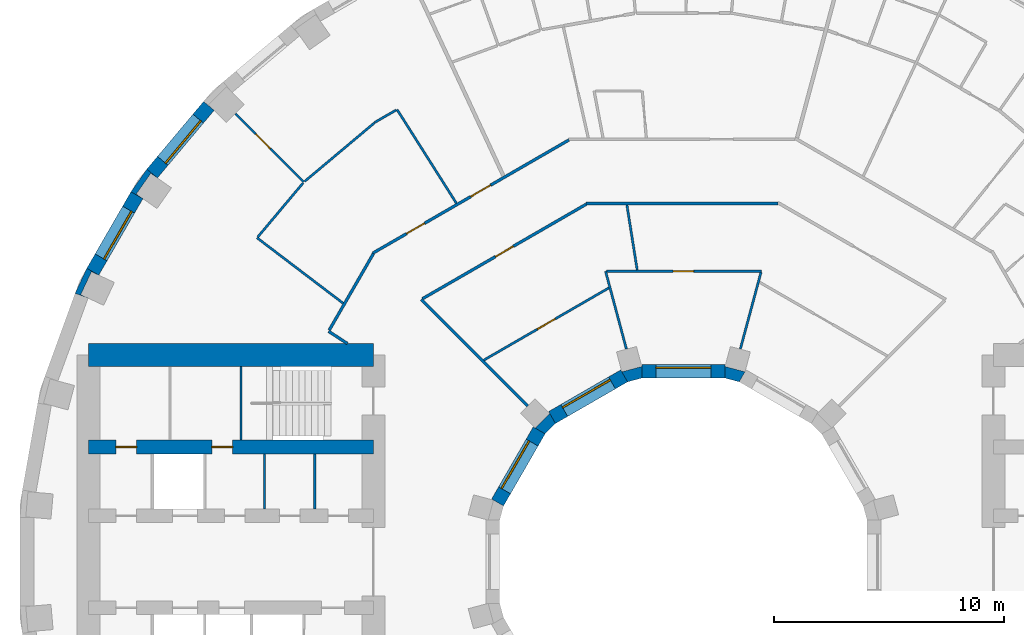
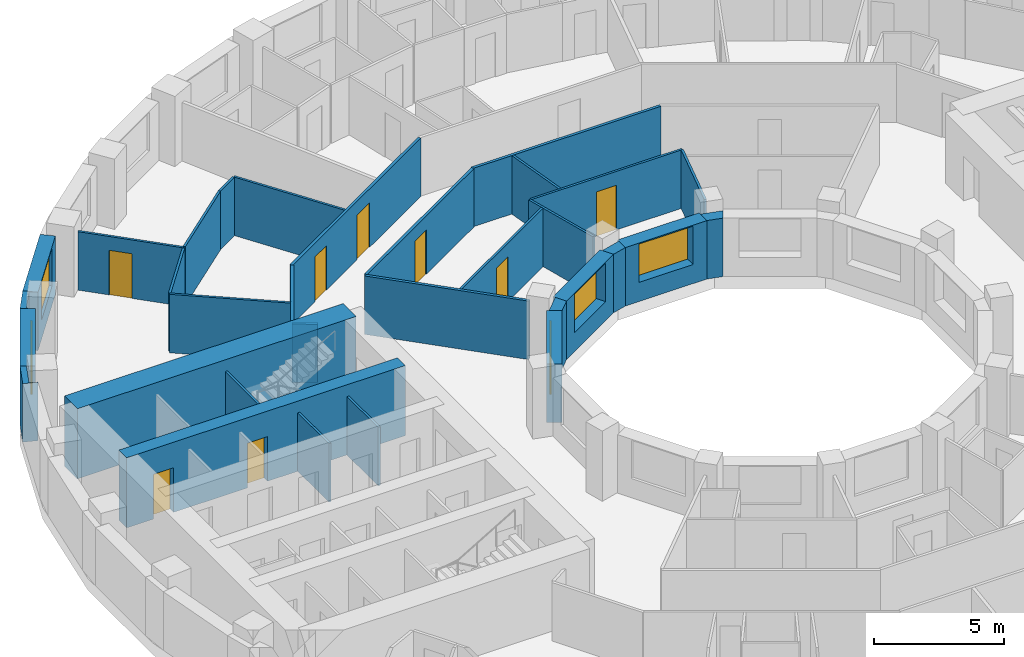
# One storey, part 10 of 15: 32 walls, 8 doors, 5 windows, 13 openings.
"""IFC4 building model written with IfcOpenShell, lengths in metres."""

from ifc_helpers import new_model, si_unit, direction, frame, frame_2d, origin, place, context, subcontext, project, spatial, polyline, rectangle, outline, extrude, material, layer, layer_set, type_object, element, fill, save


model = new_model("IFC4")

# Units and contexts
model_context = context("Model", 3, precision=1e-05, world=origin(), true_north=direction((0.0, 1.0)))
body_context = subcontext(model_context, "Body", "Model", "MODEL_VIEW")
ifc_project = project(units=[si_unit("LENGTHUNIT", "METRE"), si_unit("AREAUNIT", "SQUARE_METRE"), si_unit("VOLUMEUNIT", "CUBIC_METRE"), si_unit("PLANEANGLEUNIT", "RADIAN"), si_unit("MASSUNIT", "GRAM", prefix="KILO")], contexts=[model_context])

# Site, building, storey
site_placement = place(None, origin())
site = spatial("IfcSite", under=ifc_project, at=site_placement, CompositionType="ELEMENT")
building_placement = place(site_placement, origin())
building = spatial("IfcBuilding", under=site, at=building_placement, Name="Saqina Gate Tower", CompositionType="ELEMENT")
storey_placement = place(building_placement, frame((0.0, 0.0, 39.5)))
storey = spatial("IfcBuildingStorey", under=building, at=storey_placement, Name="L10", CompositionType="ELEMENT", Elevation=39.5)

# Walls
ifc_material_1 = material(Name="Brick masonry (red)", Category="masonry")
wall_type_1 = type_object("IfcWallType", Name="BRICK PIER COPING RED", PredefinedType="SOLIDWALL", material=ifc_material_1)
wall_1_placement = place(storey_placement, origin())
element("IfcWall", 1, at=wall_1_placement, inside=storey, type_object=wall_type_1, Name="Pier cap L10 column 15", PredefinedType="SOLIDWALL", context=body_context, shape_type="SweptSolid", body=[
    extrude(outline(polyline([(-23.36669921875, 17.096923828125), (-24.0576171875, 16.110107421875), (-23.5380859375, 15.81005859375), (-23.8251953125, 16.010986328125), (-23.194091796875, 16.912109375), (-22.9072265625, 16.711181640625), (-23.36669921875, 17.096923828125)])), origin(), (0.0, 0.0, 1.0), 2.75),
])
wall_2_placement = place(storey_placement, origin())
element("IfcWall", 2, at=wall_2_placement, inside=storey, type_object=wall_type_1, Name="Pier cap L10 column 16", PredefinedType="SOLIDWALL", context=body_context, shape_type="SweptSolid", body=[
    extrude(outline(polyline([(-26.48974609375, 11.687744140625), (-25.92578125, 11.482666015625), (-26.243408203125, 11.630615234375), (-25.778564453125, 12.627685546875), (-25.4609375, 12.4794921875), (-25.980712890625, 12.779541015625), (-26.48974609375, 11.687744140625)])), origin(), (0.0, 0.0, 1.0), 2.75),
])
ifc_material_2 = material(Name="Gypsum board on steel studs", Category="steel")
ifc_layer_1 = layer(ifc_material_2, 0.10009765625)
ifc_layer_set_1 = layer_set([ifc_layer_1], Name="CORE PARTITION")
wall_type_2 = type_object("IfcWallType", Name="CORE PARTITION", PredefinedType="PARTITIONING", material=ifc_layer_set_1)
for number, where, z_axis, x_axis, name in (
    (3, (-16.052001953125, 2.300048828125, 0.0), (0.0, 0.0, 1.0), (0.0, 1.0, 0.0), "L10-CP-W01"),
    (4, (-18.24072265625, 2.300048828125, 0.0), (0.0, 0.0, 1.0), (0.0, 1.0, 0.0), "L10-CP-W02"),
):
    element("IfcWall", number, at=place(storey_placement, frame(where, z_axis=z_axis, x_axis=x_axis)), inside=storey, type_object=wall_type_2, Name=name, PredefinedType="PARTITIONING", context=body_context, shape_type="SweptSolid", body=[
        extrude(rectangle(XDim=2.39990234375, YDim=0.10009765625, at=frame_2d((1.199951171875, 0.0))), origin(), (0.0, 0.0, 1.0), 2.75),
    ])

# Wall, opening, window
ifc_material_3 = material(Name="Brick masonry (red)", Category="masonry")
ifc_layer_2 = layer(ifc_material_3, 0.60009765625)
ifc_layer_set_2 = layer_set([ifc_layer_2], Name="FW-BRICK-RED")
wall_type_3 = type_object("IfcWallType", Name="FW-BRICK-RED", PredefinedType="SOLIDWALL", material=ifc_layer_set_2)
wall_3_placement = place(storey_placement, frame((-20.664794921875, 19.85009765625, 0.0), z_axis=(0.0, 0.0, 1.0), x_axis=(-0.642809392687, -0.766026164483, 0.0)))
wall_3 = element("IfcWall", 5, at=wall_3_placement, inside=storey, type_object=wall_type_3, Name="Facade wall L10 facet 14", PredefinedType="SOLIDWALL", context=body_context, shape_type="SweptSolid", body=[
    extrude(rectangle(XDim=3.845947265625, YDim=0.60009765625, at=frame_2d((1.9228515625, 0.0))), origin(), (0.0, 0.0, 1.0), 2.75),
])
opening_1_placement = place(wall_3_placement, frame((0.722900390625, 0.0, 0.89990234375)))
opening_1 = element("IfcOpeningElement", 6, at=opening_1_placement, cuts=wall_3, Name="Opening G02-W12", PredefinedType="OPENING", context=body_context, shape_type="SweptSolid", body=[
    extrude(rectangle(XDim=2.39990234375, YDim=1.800048828125, at=frame_2d((1.199951171875, 0.89990234375))), frame((0.0, 0.31201171875, 0.0), z_axis=(0.0, -1.0, 0.0), x_axis=(1.0, 0.0, 0.0)), (0.0, 0.0, 1.0), 0.6240234375),
])
ifc_material_4 = material(Name="Aluminium glazing", Category="aluminium")
window_type_1 = type_object("IfcWindowType", Name="WN-A", PartitioningType="SINGLE_PANEL", PredefinedType="WINDOW", material=ifc_material_4)
window_1_placement = place(opening_1_placement, origin())
window_1 = element("IfcWindow", 7, at=window_1_placement, inside=storey, type_object=window_type_1, Name="Window L10 facet 14", OverallHeight=1.800048828125, OverallWidth=2.39990234375, PartitioningType="SINGLE_PANEL", PredefinedType="WINDOW", context=body_context, shape_type="SweptSolid", body=[
    extrude(rectangle(XDim=2.39990234375, YDim=1.800048828125, at=frame_2d((1.199951171875, 0.89990234375))), frame((0.0, 0.179931640625, 0.0), z_axis=(0.0, -1.0, 0.0), x_axis=(1.0, 0.0, 0.0)), (0.0, 0.0, 1.0), 0.06005859375),
])
fill(opening_1, window_1)

wall_4_placement = place(storey_placement, frame((-23.7978515625, 15.960205078125, 0.0), z_axis=(0.0, 0.0, 1.0), x_axis=(-0.499989888488, -0.86603124159, 0.0)))
wall_4 = element("IfcWall", 8, at=wall_4_placement, inside=storey, type_object=wall_type_3, Name="Facade wall L10 facet 15", PredefinedType="SOLIDWALL", context=body_context, shape_type="SweptSolid", body=[
    extrude(rectangle(XDim=3.845703125, YDim=0.60009765625, at=frame_2d((1.9228515625, 0.0))), origin(), (0.0, 0.0, 1.0), 2.75),
])
opening_2_placement = place(wall_4_placement, frame((0.722900390625, 0.0, 0.89990234375)))
opening_2 = element("IfcOpeningElement", 9, at=opening_2_placement, cuts=wall_4, Name="Opening G02-W13", PredefinedType="OPENING", context=body_context, shape_type="SweptSolid", body=[
    extrude(rectangle(XDim=2.39990234375, YDim=1.800048828125, at=frame_2d((1.199951171875, 0.89990234375))), frame((0.0, 0.31201171875, 0.0), z_axis=(0.0, -1.0, 0.0), x_axis=(1.0, 0.0, 0.0)), (0.0, 0.0, 1.0), 0.6240234375),
])
window_2_placement = place(opening_2_placement, origin())
window_2 = element("IfcWindow", 10, at=window_2_placement, inside=storey, type_object=window_type_1, Name="Window L10 facet 15", OverallHeight=1.800048828125, OverallWidth=2.39990234375, PartitioningType="SINGLE_PANEL", PredefinedType="WINDOW", context=body_context, shape_type="SweptSolid", body=[
    extrude(rectangle(XDim=2.39990234375, YDim=1.800048828125, at=frame_2d((1.199951171875, 0.89990234375))), frame((0.0, 0.179931640625, 0.0), z_axis=(0.0, -1.0, 0.0), x_axis=(1.0, 0.0, 0.0)), (0.0, 0.0, 1.0), 0.06005859375),
])
fill(opening_2, window_2)

ifc_material_5 = material(Name="Glazed ceramic tile", Category="ceramic")
ifc_layer_3 = layer(ifc_material_5, 0.60009765625)
ifc_layer_set_3 = layer_set([ifc_layer_3], Name="IW-TILE")
wall_type_4 = type_object("IfcWallType", Name="IW-TILE", PredefinedType="SOLIDWALL", material=ifc_layer_set_3)
wall_5_placement = place(storey_placement, frame((1.8125, 8.300048828125, 0.0), z_axis=(0.0, 0.0, 1.0), x_axis=(-1.0, 0.0, 0.0)))
wall_5 = element("IfcWall", 11, at=wall_5_placement, inside=storey, type_object=wall_type_4, Name="Well wall L10 facet 3", PredefinedType="SOLIDWALL", context=body_context, shape_type="SweptSolid", body=[
    extrude(rectangle(XDim=3.625, YDim=0.60009765625, at=frame_2d((1.8125, 0.0))), origin(), (0.0, 0.0, 1.0), 2.75),
])
opening_3_placement = place(wall_5_placement, frame((0.612548828125, 0.0, 0.89990234375)))
opening_3 = element("IfcOpeningElement", 12, at=opening_3_placement, cuts=wall_5, Name="Opening G02-W25", PredefinedType="OPENING", context=body_context, shape_type="SweptSolid", body=[
    extrude(rectangle(XDim=2.39990234375, YDim=1.800048828125, at=frame_2d((1.199951171875, 0.89990234375))), frame((0.0, 0.31201171875, 0.0), z_axis=(0.0, -1.0, 0.0), x_axis=(1.0, 0.0, 0.0)), (0.0, 0.0, 1.0), 0.6240234375),
])
ifc_material_6 = material(Name="Aluminium glazing", Category="aluminium")
window_type_2 = type_object("IfcWindowType", Name="WN-W", PartitioningType="SINGLE_PANEL", PredefinedType="WINDOW", material=ifc_material_6)
window_3_placement = place(opening_3_placement, origin())
window_3 = element("IfcWindow", 13, at=window_3_placement, inside=storey, type_object=window_type_2, Name="Well window L10 facet 3", OverallHeight=1.800048828125, OverallWidth=2.39990234375, PartitioningType="SINGLE_PANEL", PredefinedType="WINDOW", context=body_context, shape_type="SweptSolid", body=[
    extrude(rectangle(XDim=2.39990234375, YDim=1.800048828125, at=frame_2d((1.199951171875, 0.89990234375))), frame((0.0, -0.119873046875, 0.0), z_axis=(0.0, -1.0, 0.0), x_axis=(1.0, 0.0, 0.0)), (0.0, 0.0, 1.0), 0.06005859375),
])
fill(opening_3, window_3)

wall_6_placement = place(storey_placement, frame((-2.580322265625, 8.09423828125, 0.0), z_axis=(0.0, 0.0, 1.0), x_axis=(-0.866029693906, -0.499992569217, 0.0)))
wall_6 = element("IfcWall", 14, at=wall_6_placement, inside=storey, type_object=wall_type_4, Name="Well wall L10 facet 4", PredefinedType="SOLIDWALL", context=body_context, shape_type="SweptSolid", body=[
    extrude(rectangle(XDim=3.625, YDim=0.60009765625, at=frame_2d((1.8125, 0.0))), origin(), (0.0, 0.0, 1.0), 2.75),
])
opening_4_placement = place(wall_6_placement, frame((0.612548828125, 0.0, 0.89990234375)))
opening_4 = element("IfcOpeningElement", 15, at=opening_4_placement, cuts=wall_6, Name="Opening G02-W26", PredefinedType="OPENING", context=body_context, shape_type="SweptSolid", body=[
    extrude(rectangle(XDim=2.39990234375, YDim=1.800048828125, at=frame_2d((1.199951171875, 0.89990234375))), frame((0.0, 0.31201171875, 0.0), z_axis=(0.0, -1.0, 0.0), x_axis=(1.0, 0.0, 0.0)), (0.0, 0.0, 1.0), 0.6240234375),
])
window_4_placement = place(opening_4_placement, origin())
window_4 = element("IfcWindow", 16, at=window_4_placement, inside=storey, type_object=window_type_2, Name="Well window L10 facet 4", OverallHeight=1.800048828125, OverallWidth=2.39990234375, PartitioningType="SINGLE_PANEL", PredefinedType="WINDOW", context=body_context, shape_type="SweptSolid", body=[
    extrude(rectangle(XDim=2.39990234375, YDim=1.800048828125, at=frame_2d((1.199951171875, 0.89990234375))), frame((0.0, -0.119873046875, 0.0), z_axis=(0.0, -1.0, 0.0), x_axis=(1.0, 0.0, 0.0)), (0.0, 0.0, 1.0), 0.06005859375),
])
fill(opening_4, window_4)

wall_7_placement = place(storey_placement, frame((-6.28173828125, 5.7197265625, 0.0), z_axis=(0.0, 0.0, 1.0), x_axis=(-0.499992569217, -0.866029693906, 0.0)))
wall_7 = element("IfcWall", 17, at=wall_7_placement, inside=storey, type_object=wall_type_4, Name="Well wall L10 facet 5", PredefinedType="SOLIDWALL", context=body_context, shape_type="SweptSolid", body=[
    extrude(rectangle(XDim=3.625, YDim=0.60009765625, at=frame_2d((1.8125, 0.0))), origin(), (0.0, 0.0, 1.0), 2.75),
])
opening_5_placement = place(wall_7_placement, frame((0.612548828125, 0.0, 0.89990234375)))
opening_5 = element("IfcOpeningElement", 18, at=opening_5_placement, cuts=wall_7, Name="Opening G02-W27", PredefinedType="OPENING", context=body_context, shape_type="SweptSolid", body=[
    extrude(rectangle(XDim=2.39990234375, YDim=1.800048828125, at=frame_2d((1.199951171875, 0.89990234375))), frame((0.0, 0.31201171875, 0.0), z_axis=(0.0, -1.0, 0.0), x_axis=(1.0, 0.0, 0.0)), (0.0, 0.0, 1.0), 0.6240234375),
])
window_5_placement = place(opening_5_placement, origin())
window_5 = element("IfcWindow", 19, at=window_5_placement, inside=storey, type_object=window_type_2, Name="Well window L10 facet 5", OverallHeight=1.800048828125, OverallWidth=2.39990234375, PartitioningType="SINGLE_PANEL", PredefinedType="WINDOW", context=body_context, shape_type="SweptSolid", body=[
    extrude(rectangle(XDim=2.39990234375, YDim=1.800048828125, at=frame_2d((1.199951171875, 0.89990234375))), frame((0.0, -0.119873046875, 0.0), z_axis=(0.0, -1.0, 0.0), x_axis=(1.0, 0.0, 0.0)), (0.0, 0.0, 1.0), 0.06005859375),
])
fill(opening_5, window_5)

# Walls
ifc_material_7 = material(Name="Gypsum board on steel studs, 100 mm", Category="steel")
ifc_layer_4 = layer(ifc_material_7, 0.10009765625)
ifc_layer_set_4 = layer_set([ifc_layer_4], Name="PARTITION 100")
wall_type_5 = type_object("IfcWallType", Name="PARTITION 100", PredefinedType="PARTITIONING", material=ifc_layer_set_4)
wall_8_placement = place(storey_placement, frame((-2.461181640625, 15.538330078125, 0.0), z_axis=(0.0, 0.0, 1.0), x_axis=(0.156376935557, -0.987697450653, 0.0)))
element("IfcWall", 20, at=wall_8_placement, inside=storey, type_object=wall_type_5, Name="PARTITION PW3-07", PredefinedType="PARTITIONING", context=body_context, shape_type="SweptSolid", body=[
    extrude(rectangle(XDim=2.874267578125, YDim=0.10009765625, at=frame_2d((1.43701171875, 0.0))), origin(), (0.0, 0.0, 1.0), 2.75),
])
wall_9_placement = place(storey_placement, frame((-3.389892578125, 12.64990234375, 0.0), z_axis=(0.0, 0.0, 1.0), x_axis=(0.258846371061, -0.965918503906, 0.0)))
element("IfcWall", 21, at=wall_9_placement, inside=storey, type_object=wall_type_5, Name="PARTITION PW3-15", PredefinedType="PARTITIONING", context=body_context, shape_type="SweptSolid", body=[
    extrude(rectangle(XDim=3.50390625, YDim=0.10009765625, at=frame_2d((1.751953125, 0.0))), origin(), (0.0, 0.0, 1.0), 2.75),
])
wall_10_placement = place(storey_placement, frame((-12.469970703125, 19.693115234375, 0.0), z_axis=(0.0, 0.0, 1.0), x_axis=(0.535000379435, -0.844851817779, 0.0)))
element("IfcWall", 22, at=wall_10_placement, inside=storey, type_object=wall_type_5, Name="PARTITION PW3-29", PredefinedType="PARTITIONING", context=body_context, shape_type="SweptSolid", body=[
    extrude(rectangle(XDim=4.830810546875, YDim=0.10009765625, at=frame_2d((2.41552734375, 0.0))), origin(), (0.0, 0.0, 1.0), 2.75),
])

# Wall, opening, door
wall_11_placement = place(storey_placement, frame((-19.509033203125, 19.509033203125, 0.0), z_axis=(0.0, 0.0, 1.0), x_axis=(0.707106781187, -0.707106781187, 0.0)))
wall_11 = element("IfcWall", 23, at=wall_11_placement, inside=storey, type_object=wall_type_5, Name="PARTITION PW3-35", PredefinedType="PARTITIONING", context=body_context, shape_type="SweptSolid", body=[
    extrude(rectangle(XDim=4.211669921875, YDim=0.10009765625, at=frame_2d((2.10595703125, 0.0))), origin(), (0.0, 0.0, 1.0), 2.75),
])
opening_6_placement = place(wall_11_placement, frame((1.252197265625, 0.0, 0.0)))
opening_6 = element("IfcOpeningElement", 24, at=opening_6_placement, cuts=wall_11, Name="Opening G02-D31", PredefinedType="OPENING", context=body_context, shape_type="SweptSolid", body=[
    extrude(rectangle(XDim=0.89990234375, YDim=2.10009765625, at=frame_2d((0.449951171875, 1.050048828125))), frame((0.0, 0.06201171875, 0.0), z_axis=(0.0, -1.0, 0.0), x_axis=(1.0, 0.0, 0.0)), (0.0, 0.0, 1.0), 0.1240234375),
])
ifc_material_8 = material(Name="Timber door leaf, 900 mm", Category="wood")
door_type_1 = type_object("IfcDoorType", Name="DOOR 900 TIMBER", OperationType="SINGLE_SWING_LEFT", PredefinedType="DOOR", material=ifc_material_8)
door_1_placement = place(opening_6_placement, frame((0.89990234375, 0.0, 0.0), z_axis=(0.0, 0.0, 1.0), x_axis=(-1.0, 0.0, 0.0)))
door_1 = element("IfcDoor", 25, at=door_1_placement, inside=storey, type_object=door_type_1, Name="DOOR G02-D31", OperationType="SINGLE_SWING_RIGHT", OverallHeight=2.10009765625, OverallWidth=0.89990234375, PredefinedType="DOOR", context=body_context, shape_type="SweptSolid", body=[
    extrude(rectangle(XDim=0.89990234375, YDim=2.10009765625, at=frame_2d((0.449951171875, 1.050048828125))), frame((0.0, 0.02490234375, 0.0), z_axis=(0.0, -1.0, 0.0), x_axis=(1.0, 0.0, 0.0)), (0.0, 0.0, 1.0), 0.050048828125),
])
fill(opening_6, door_1)

# Wall
wall_12_placement = place(storey_placement, frame((-18.56689453125, 14.10498046875, 0.0), z_axis=(0.0, 0.0, 1.0), x_axis=(0.796206168274, -0.605025402444, 0.0)))
element("IfcWall", 26, at=wall_12_placement, inside=storey, type_object=wall_type_5, Name="PARTITION PW3-38", PredefinedType="PARTITIONING", context=body_context, shape_type="SweptSolid", body=[
    extrude(rectangle(XDim=4.70703125, YDim=0.10009765625, at=frame_2d((2.353515625, 0.0))), origin(), (0.0, 0.0, 1.0), 2.75),
])

# Wall, opening, door
wall_13_placement = place(storey_placement, frame((-3.340087890625, 12.64990234375, 0.0), z_axis=(0.0, 0.0, 1.0), x_axis=(1.0, 0.0, 0.0)))
wall_13 = element("IfcWall", 27, at=wall_13_placement, inside=storey, type_object=wall_type_5, Name="PARTITION PW3-61", PredefinedType="PARTITIONING", context=body_context, shape_type="SweptSolid", body=[
    extrude(rectangle(XDim=6.72998046875, YDim=0.10009765625, at=frame_2d((3.364990234375, 0.0))), origin(), (0.0, 0.0, 1.0), 2.75),
])
opening_7_placement = place(wall_13_placement, frame((2.889892578125, 0.0, 0.0)))
opening_7 = element("IfcOpeningElement", 28, at=opening_7_placement, cuts=wall_13, Name="Opening G02-D19", PredefinedType="OPENING", context=body_context, shape_type="SweptSolid", body=[
    extrude(rectangle(XDim=0.89990234375, YDim=2.10009765625, at=frame_2d((0.449951171875, 1.050048828125))), frame((0.0, 0.06201171875, 0.0), z_axis=(0.0, -1.0, 0.0), x_axis=(1.0, 0.0, 0.0)), (0.0, 0.0, 1.0), 0.1240234375),
])
door_2_placement = place(opening_7_placement, origin())
door_2 = element("IfcDoor", 29, at=door_2_placement, inside=storey, type_object=door_type_1, Name="DOOR G02-D19", OperationType="SINGLE_SWING_LEFT", OverallHeight=2.10009765625, OverallWidth=0.89990234375, PredefinedType="DOOR", context=body_context, shape_type="SweptSolid", body=[
    extrude(rectangle(XDim=0.89990234375, YDim=2.10009765625, at=frame_2d((0.449951171875, 1.050048828125))), frame((0.0, 0.02490234375, 0.0), z_axis=(0.0, -1.0, 0.0), x_axis=(1.0, 0.0, 0.0)), (0.0, 0.0, 1.0), 0.050048828125),
])
fill(opening_7, door_2)

wall_14_placement = place(storey_placement, frame((-8.69384765625, 8.779296875, 0.0), z_axis=(0.0, 0.0, 1.0), x_axis=(0.86602790099, 0.499995674689, 0.0)))
wall_14 = element("IfcWall", 30, at=wall_14_placement, inside=storey, type_object=wall_type_5, Name="PARTITION PW3-80", PredefinedType="PARTITIONING", context=body_context, shape_type="SweptSolid", body=[
    extrude(rectangle(XDim=6.291015625, YDim=0.10009765625, at=frame_2d((3.1455078125, 0.0))), origin(), (0.0, 0.0, 1.0), 2.75),
])
opening_8_placement = place(wall_14_placement, frame((2.689453125, 0.0, 0.0)))
opening_8 = element("IfcOpeningElement", 31, at=opening_8_placement, cuts=wall_14, Name="Opening G02-D28", PredefinedType="OPENING", context=body_context, shape_type="SweptSolid", body=[
    extrude(rectangle(XDim=0.89990234375, YDim=2.10009765625, at=frame_2d((0.449951171875, 1.050048828125))), frame((0.0, 0.06201171875, 0.0), z_axis=(0.0, -1.0, 0.0), x_axis=(1.0, 0.0, 0.0)), (0.0, 0.0, 1.0), 0.1240234375),
])
door_3_placement = place(opening_8_placement, origin())
door_3 = element("IfcDoor", 32, at=door_3_placement, inside=storey, type_object=door_type_1, Name="DOOR G02-D28", OperationType="SINGLE_SWING_LEFT", OverallHeight=2.10009765625, OverallWidth=0.89990234375, PredefinedType="DOOR", context=body_context, shape_type="SweptSolid", body=[
    extrude(rectangle(XDim=0.89990234375, YDim=2.10009765625, at=frame_2d((0.449951171875, 1.050048828125))), frame((0.0, 0.02490234375, 0.0), z_axis=(0.0, -1.0, 0.0), x_axis=(1.0, 0.0, 0.0)), (0.0, 0.0, 1.0), 0.050048828125),
])
fill(opening_8, door_3)

# Walls
wall_15_placement = place(storey_placement, frame((-13.452880859375, 19.125732421875, 0.0), z_axis=(0.0, 0.0, 1.0), x_axis=(0.866144373206, 0.499793882279, 0.0)))
element("IfcWall", 33, at=wall_15_placement, inside=storey, type_object=wall_type_5, Name="PARTITION PW3-81", PredefinedType="PARTITIONING", context=body_context, shape_type="SweptSolid", body=[
    extrude(rectangle(XDim=1.0849609375, YDim=0.10009765625, at=frame_2d((0.54248046875, 0.0))), origin(), (0.0, 0.0, 1.0), 2.75),
])
wall_16_placement = place(storey_placement, frame((-16.49267578125, 16.563232421875, 0.0), z_axis=(0.0, 0.0, 1.0), x_axis=(0.766012051309, 0.642826210767, 0.0)))
element("IfcWall", 34, at=wall_16_placement, inside=storey, type_object=wall_type_5, Name="PARTITION PW3-85", PredefinedType="PARTITIONING", context=body_context, shape_type="SweptSolid", body=[
    extrude(rectangle(XDim=3.9755859375, YDim=0.10009765625, at=frame_2d((1.98779296875, 0.0))), origin(), (0.0, 0.0, 1.0), 2.75),
])
wall_17_placement = place(storey_placement, frame((-18.533447265625, 14.14501953125, 0.0), z_axis=(0.0, 0.0, 1.0), x_axis=(0.642844541506, 0.765996668045, 0.0)))
element("IfcWall", 35, at=wall_17_placement, inside=storey, type_object=wall_type_5, Name="PARTITION PW3-93", PredefinedType="PARTITIONING", context=body_context, shape_type="SweptSolid", body=[
    extrude(rectangle(XDim=3.06494140625, YDim=0.10009765625, at=frame_2d((1.532470703125, 0.0))), origin(), (0.0, 0.0, 1.0), 2.75),
])
wall_18_placement = place(storey_placement, frame((2.47998046875, 9.26611328125, 0.0), z_axis=(0.0, 0.0, 1.0), x_axis=(0.259676899278, 0.965695556571, 0.0)))
element("IfcWall", 36, at=wall_18_placement, inside=storey, type_object=wall_type_5, Name="PARTITION PW3-107", PredefinedType="PARTITIONING", context=body_context, shape_type="SweptSolid", body=[
    extrude(rectangle(XDim=3.4541015625, YDim=0.10009765625, at=frame_2d((1.72705078125, 0.0))), origin(), (0.0, 0.0, 1.0), 2.75),
])
ifc_material_9 = material(Name="Gypsum board on steel studs, 125 mm, fire rated", Category="steel")
ifc_layer_5 = layer(ifc_material_9, 0.125)
ifc_layer_set_5 = layer_set([ifc_layer_5], Name="PARTITION EI 30 125")
wall_type_6 = type_object("IfcWallType", Name="PARTITION EI 30 125", PredefinedType="PARTITIONING", material=ifc_layer_set_5)
wall_19_placement = place(storey_placement, frame((-11.419921875, 11.419921875, 0.0), z_axis=(0.0, 0.0, 1.0), x_axis=(0.707106781187, -0.707106781187, 0.0)))
element("IfcWall", 37, at=wall_19_placement, inside=storey, type_object=wall_type_6, Name="PARTITION PW1-09", PredefinedType="PARTITIONING", context=body_context, shape_type="SweptSolid", body=[
    extrude(rectangle(XDim=6.55810546875, YDim=0.125, at=frame_2d((3.279052734375, 0.0))), origin(), (0.0, 0.0, 1.0), 2.75),
])
wall_20_placement = place(storey_placement, frame((-15.452880859375, 10.034912109375, 0.0), z_axis=(0.0, 0.0, 1.0), x_axis=(0.838755766808, -0.544507817801, 0.0)))
element("IfcWall", 38, at=wall_20_placement, inside=storey, type_object=wall_type_6, Name="PARTITION PW1-13", PredefinedType="PARTITIONING", context=body_context, shape_type="SweptSolid", body=[
    extrude(rectangle(XDim=0.982421875, YDim=0.125, at=frame_2d((0.4912109375, 0.0))), origin(), (0.0, 0.0, 1.0), 2.75),
])
wall_21_placement = place(storey_placement, frame((-4.252197265625, 15.60009765625, 0.0), z_axis=(0.0, 0.0, 1.0), x_axis=(1.0, 0.0, 0.0)))
element("IfcWall", 39, at=wall_21_placement, inside=storey, type_object=wall_type_6, Name="PARTITION PW1-29", PredefinedType="PARTITIONING", context=body_context, shape_type="SweptSolid", body=[
    extrude(rectangle(XDim=8.36962890625, YDim=0.125, at=frame_2d((4.184814453125, 0.0))), origin(), (0.0, 0.0, 1.0), 2.75),
])

# Wall, opening, door
wall_22_placement = place(storey_placement, frame((-11.365966796875, 11.451171875, 0.0), z_axis=(0.0, 0.0, 1.0), x_axis=(0.866019704869, 0.500009870681, 0.0)))
wall_22 = element("IfcWall", 40, at=wall_22_placement, inside=storey, type_object=wall_type_6, Name="PARTITION PW1-42", PredefinedType="PARTITIONING", context=body_context, shape_type="SweptSolid", body=[
    extrude(rectangle(XDim=8.235107421875, YDim=0.125, at=frame_2d((4.11767578125, 0.0))), origin(), (0.0, 0.0, 1.0), 2.75),
])
opening_9_placement = place(wall_22_placement, frame((3.66748046875, 0.0, 0.0)))
opening_9 = element("IfcOpeningElement", 41, at=opening_9_placement, cuts=wall_22, Name="Opening G02-D29", PredefinedType="OPENING", context=body_context, shape_type="SweptSolid", body=[
    extrude(rectangle(XDim=0.89990234375, YDim=2.10009765625, at=frame_2d((0.449951171875, 1.050048828125))), frame((0.0, 0.074462890625, 0.0), z_axis=(0.0, -1.0, 0.0), x_axis=(1.0, 0.0, 0.0)), (0.0, 0.0, 1.0), 0.14892578125),
])
ifc_material_10 = material(Name="Fire door leaf EI 30, 900 mm")
door_type_2 = type_object("IfcDoorType", Name="DOOR 900 EI 30", OperationType="SINGLE_SWING_LEFT", PredefinedType="DOOR", material=ifc_material_10)
door_4_placement = place(opening_9_placement, frame((0.89990234375, 0.0, 0.0), z_axis=(0.0, 0.0, 1.0), x_axis=(-1.0, 0.0, 0.0)))
door_4 = element("IfcDoor", 42, at=door_4_placement, inside=storey, type_object=door_type_2, Name="DOOR G02-D29", OperationType="SINGLE_SWING_RIGHT", OverallHeight=2.10009765625, OverallWidth=0.89990234375, PredefinedType="DOOR", context=body_context, shape_type="SweptSolid", body=[
    extrude(rectangle(XDim=0.89990234375, YDim=2.10009765625, at=frame_2d((0.449951171875, 1.050048828125))), frame((0.0, 0.02490234375, 0.0), z_axis=(0.0, -1.0, 0.0), x_axis=(1.0, 0.0, 0.0)), (0.0, 0.0, 1.0), 0.050048828125),
])
fill(opening_9, door_4)

# Wall, openings, doors
wall_23_placement = place(storey_placement, frame((-13.532470703125, 13.433837890625, 0.0), z_axis=(0.0, 0.0, 1.0), x_axis=(0.86605048973, 0.49995654735, 0.0)))
wall_23 = element("IfcWall", 43, at=wall_23_placement, inside=storey, type_object=wall_type_6, Name="PARTITION PW1-43", PredefinedType="PARTITIONING", context=body_context, shape_type="SweptSolid", body=[
    extrude(rectangle(XDim=9.87060546875, YDim=0.125, at=frame_2d((4.935302734375, 0.0))), origin(), (0.0, 0.0, 1.0), 2.75),
])
opening_10_placement = place(wall_23_placement, frame((4.93115234375, 0.0, 0.0)))
opening_10 = element("IfcOpeningElement", 44, at=opening_10_placement, cuts=wall_23, Name="Opening G02-D27", PredefinedType="OPENING", context=body_context, shape_type="SweptSolid", body=[
    extrude(rectangle(XDim=1.0, YDim=2.10009765625, at=frame_2d((0.5, 1.050048828125))), frame((0.0, 0.074462890625, 0.0), z_axis=(0.0, -1.0, 0.0), x_axis=(1.0, 0.0, 0.0)), (0.0, 0.0, 1.0), 0.14892578125),
])
opening_11_placement = place(wall_23_placement, frame((1.711181640625, 0.0, 0.0)))
opening_11 = element("IfcOpeningElement", 45, at=opening_11_placement, cuts=wall_23, Name="Opening G02-D30", PredefinedType="OPENING", context=body_context, shape_type="SweptSolid", body=[
    extrude(rectangle(XDim=0.89990234375, YDim=2.10009765625, at=frame_2d((0.449951171875, 1.050048828125))), frame((0.0, 0.074462890625, 0.0), z_axis=(0.0, -1.0, 0.0), x_axis=(1.0, 0.0, 0.0)), (0.0, 0.0, 1.0), 0.14892578125),
])
ifc_material_11 = material(Name="Fire door leaf EI 30, 1000 mm")
door_type_3 = type_object("IfcDoorType", Name="DOOR 1000 EI 30", OperationType="SINGLE_SWING_LEFT", PredefinedType="DOOR", material=ifc_material_11)
door_5_placement = place(opening_10_placement, origin())
door_5 = element("IfcDoor", 46, at=door_5_placement, inside=storey, type_object=door_type_3, Name="DOOR G02-D27", OperationType="SINGLE_SWING_RIGHT", OverallHeight=2.10009765625, OverallWidth=1.0, PredefinedType="DOOR", context=body_context, shape_type="SweptSolid", body=[
    extrude(rectangle(XDim=1.0, YDim=2.10009765625, at=frame_2d((0.5, 1.050048828125))), frame((0.0, 0.02490234375, 0.0), z_axis=(0.0, -1.0, 0.0), x_axis=(1.0, 0.0, 0.0)), (0.0, 0.0, 1.0), 0.050048828125),
])
fill(opening_10, door_5)
door_6_placement = place(opening_11_placement, origin())
door_6 = element("IfcDoor", 47, at=door_6_placement, inside=storey, type_object=door_type_2, Name="DOOR G02-D30", OperationType="SINGLE_SWING_LEFT", OverallHeight=2.10009765625, OverallWidth=0.89990234375, PredefinedType="DOOR", context=body_context, shape_type="SweptSolid", body=[
    extrude(rectangle(XDim=0.89990234375, YDim=2.10009765625, at=frame_2d((0.449951171875, 1.050048828125))), frame((0.0, 0.02490234375, 0.0), z_axis=(0.0, -1.0, 0.0), x_axis=(1.0, 0.0, 0.0)), (0.0, 0.0, 1.0), 0.050048828125),
])
fill(opening_11, door_6)

# Walls
wall_24_placement = place(storey_placement, frame((-15.421630859375, 10.089111328125, 0.0), z_axis=(0.0, 0.0, 1.0), x_axis=(0.499953532967, 0.866052229876, 0.0)))
element("IfcWall", 48, at=wall_24_placement, inside=storey, type_object=wall_type_6, Name="PARTITION PW1-49", PredefinedType="PARTITIONING", context=body_context, shape_type="SweptSolid", body=[
    extrude(rectangle(XDim=3.841064453125, YDim=0.125, at=frame_2d((1.92041015625, 0.0))), origin(), (0.0, 0.0, 1.0), 2.75),
])
ifc_material_12 = material(Name="Autoclaved aerated concrete block", Category="concrete")
ifc_layer_6 = layer(ifc_material_12, 0.10009765625)
ifc_layer_set_6 = layer_set([ifc_layer_6], Name="STAIR ENCLOSURE WALL")
wall_type_7 = type_object("IfcWallType", Name="STAIR ENCLOSURE WALL", PredefinedType="PARTITIONING", material=ifc_layer_set_6)
wall_25_placement = place(storey_placement, frame((-19.27001953125, 5.300048828125, 0.0), z_axis=(0.0, 0.0, 1.0), x_axis=(0.0, 1.0, 0.0)))
element("IfcWall", 49, at=wall_25_placement, inside=storey, type_object=wall_type_7, Name="L10-CP-W10", PredefinedType="PARTITIONING", context=body_context, shape_type="SweptSolid", body=[
    extrude(rectangle(XDim=3.199951171875, YDim=0.10009765625, at=frame_2d((1.60009765625, 0.0))), origin(), (0.0, 0.0, 1.0), 2.75),
])

# Wall, openings, doors
ifc_material_13 = material(Name="Concrete C70/85", Category="concrete")
ifc_layer_7 = layer(ifc_material_13, 0.60009765625)
ifc_layer_set_7 = layer_set([ifc_layer_7], Name="Concrete C70/85")
wall_type_8 = type_object("IfcWallType", Name="STR-CORE WALL-A-I", PredefinedType="SHEAR", material=ifc_layer_set_7)
wall_26_placement = place(storey_placement, frame((-13.5, 5.0, 0.0), z_axis=(0.0, 0.0, 1.0), x_axis=(-1.0, 0.0, 0.0)))
wall_26 = element("IfcWall", 50, at=wall_26_placement, inside=storey, type_object=wall_type_8, Name="CORE WALL L10 W-X1", PredefinedType="SHEAR", context=body_context, shape_type="SweptSolid", body=[
    extrude(rectangle(XDim=12.39990234375, YDim=0.60009765625, at=frame_2d((6.199951171875, 0.0))), origin(), (0.0, 0.0, 1.0), 3.300048828125),
])
opening_12_placement = place(wall_26_placement, frame((6.1298828125, 0.0, 0.0)))
opening_12 = element("IfcOpeningElement", 51, at=opening_12_placement, cuts=wall_26, Name="Opening G02-D112", PredefinedType="OPENING", context=body_context, shape_type="SweptSolid", body=[
    extrude(rectangle(XDim=0.89990234375, YDim=2.10009765625, at=frame_2d((0.449951171875, 1.050048828125))), frame((0.0, 0.31201171875, 0.0), z_axis=(0.0, -1.0, 0.0), x_axis=(1.0, 0.0, 0.0)), (0.0, 0.0, 1.0), 0.6240234375),
])
opening_13_placement = place(wall_26_placement, frame((10.31005859375, 0.0, 0.0)))
opening_13 = element("IfcOpeningElement", 52, at=opening_13_placement, cuts=wall_26, Name="Opening G02-D113", PredefinedType="OPENING", context=body_context, shape_type="SweptSolid", body=[
    extrude(rectangle(XDim=0.89990234375, YDim=2.10009765625, at=frame_2d((0.449951171875, 1.050048828125))), frame((0.0, 0.31201171875, 0.0), z_axis=(0.0, -1.0, 0.0), x_axis=(1.0, 0.0, 0.0)), (0.0, 0.0, 1.0), 0.6240234375),
])
ifc_material_14 = material(Name="Steel-framed fire door leaf, EI 60", Category="steel")
door_type_4 = type_object("IfcDoorType", Name="SERVICE ROOM DOOR 900", OperationType="SINGLE_SWING_LEFT", PredefinedType="DOOR", material=ifc_material_14)
door_7_placement = place(opening_12_placement, frame((0.89990234375, 0.0, 0.0), z_axis=(0.0, 0.0, 1.0), x_axis=(-1.0, 0.0, 0.0)))
door_7 = element("IfcDoor", 53, at=door_7_placement, inside=storey, type_object=door_type_4, Name="L10-CD-W23", OperationType="SINGLE_SWING_RIGHT", OverallHeight=2.10009765625, OverallWidth=0.89990234375, PredefinedType="DOOR", context=body_context, shape_type="SweptSolid", body=[
    extrude(rectangle(XDim=0.89990234375, YDim=2.10009765625, at=frame_2d((0.449951171875, 1.050048828125))), frame((0.0, 0.02490234375, 0.0), z_axis=(0.0, -1.0, 0.0), x_axis=(1.0, 0.0, 0.0)), (0.0, 0.0, 1.0), 0.050048828125),
])
fill(opening_12, door_7)
door_8_placement = place(opening_13_placement, frame((0.89990234375, 0.0, 0.0), z_axis=(0.0, 0.0, 1.0), x_axis=(-1.0, 0.0, 0.0)))
door_8 = element("IfcDoor", 54, at=door_8_placement, inside=storey, type_object=door_type_4, Name="L10-CD-W24", OperationType="SINGLE_SWING_LEFT", OverallHeight=2.10009765625, OverallWidth=0.89990234375, PredefinedType="DOOR", context=body_context, shape_type="SweptSolid", body=[
    extrude(rectangle(XDim=0.89990234375, YDim=2.10009765625, at=frame_2d((0.449951171875, 1.050048828125))), frame((0.0, 0.02490234375, 0.0), z_axis=(0.0, -1.0, 0.0), x_axis=(1.0, 0.0, 0.0)), (0.0, 0.0, 1.0), 0.050048828125),
])
fill(opening_13, door_8)

# Walls
ifc_material_15 = material(Name="Concrete C70/85", Category="concrete")
ifc_layer_8 = layer(ifc_material_15, 1.0)
ifc_layer_set_8 = layer_set([ifc_layer_8], Name="Concrete C70/85")
wall_type_9 = type_object("IfcWallType", Name="STR-CORE WALL-A-O", PredefinedType="SHEAR", material=ifc_layer_set_8)
wall_27_placement = place(storey_placement, frame((-13.5, 9.0, 0.0), z_axis=(0.0, 0.0, 1.0), x_axis=(-1.0, 0.0, 0.0)))
element("IfcWall", 55, at=wall_27_placement, inside=storey, type_object=wall_type_9, Name="CORE WALL L10 W-NE", PredefinedType="SHEAR", context=body_context, shape_type="SweptSolid", body=[
    extrude(rectangle(XDim=12.39990234375, YDim=1.0, at=frame_2d((6.199951171875, 0.0))), origin(), (0.0, 0.0, 1.0), 3.300048828125),
])
ifc_material_16 = material(Name="Glazed ceramic tile", Category="ceramic")
wall_type_10 = type_object("IfcWallType", Name="TILE PIER COPING", PredefinedType="SOLIDWALL", material=ifc_material_16)
wall_28_placement = place(storey_placement, origin())
element("IfcWall", 56, at=wall_28_placement, inside=storey, type_object=wall_type_10, Name="Well pier cap L10 column 3", PredefinedType="SOLIDWALL", context=body_context, shape_type="SweptSolid", body=[
    extrude(outline(polyline([(1.8125, 8.502685546875), (1.8125, 8.0), (2.430419921875, 7.83447265625), (2.681884765625, 8.27001953125), (1.8125, 8.502685546875)])), origin(), (0.0, 0.0, 1.0), 2.75),
])
wall_29_placement = place(storey_placement, origin())
element("IfcWall", 57, at=wall_29_placement, inside=storey, type_object=wall_type_10, Name="Well pier cap L10 column 4", PredefinedType="SOLIDWALL", context=body_context, shape_type="SweptSolid", body=[
    extrude(outline(polyline([(-2.681884765625, 8.27001953125), (-2.430419921875, 7.83447265625), (-1.8125, 8.0), (-1.8125, 8.502685546875), (-2.681884765625, 8.27001953125)])), origin(), (0.0, 0.0, 1.0), 2.75),
])
wall_30_placement = place(storey_placement, origin())
element("IfcWall", 58, at=wall_30_placement, inside=storey, type_object=wall_type_10, Name="Well pier cap L10 column 5", PredefinedType="SOLIDWALL", context=body_context, shape_type="SweptSolid", body=[
    extrude(outline(polyline([(-6.45751953125, 5.821044921875), (-6.02197265625, 5.569580078125), (-5.569580078125, 6.02197265625), (-5.821044921875, 6.45751953125), (-6.45751953125, 5.821044921875)])), origin(), (0.0, 0.0, 1.0), 2.75),
])

save(model, "model.ifc")
